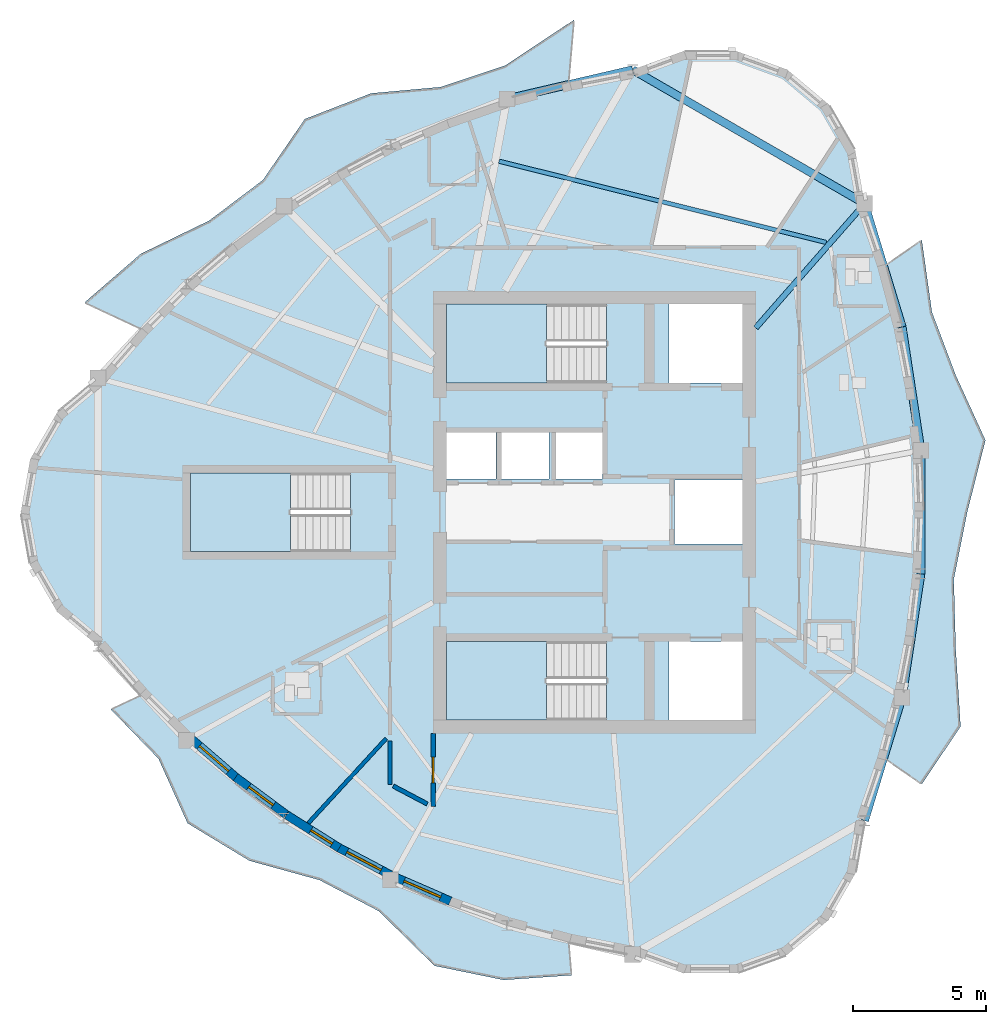
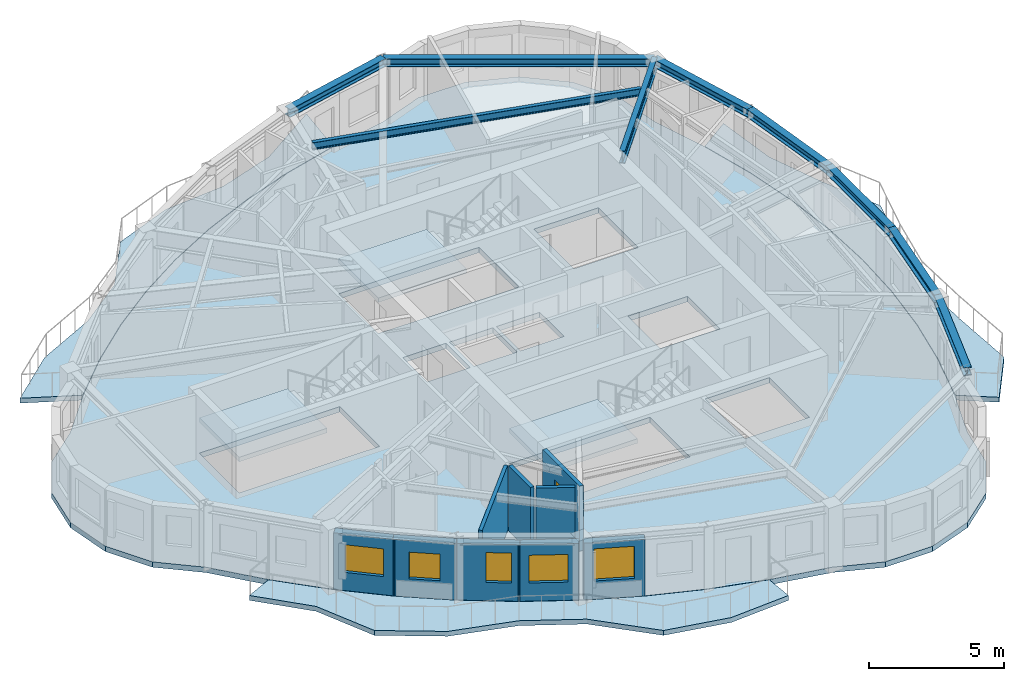
# One storey, part 2 of 12: 9 beams, 9 walls, 7 slabs, 5 windows, 1 door, 6 openings, 3 elements without a shape of their own.
"""IFC4 building model written with IfcOpenShell, lengths in metres."""

from ifc_helpers import new_model, si_unit, direction, frame, frame_2d, origin, origin_2d, place, context, subcontext, project, spatial, polyline, rectangle, i_section, outline, extrude, source, transform, mapped, material, layer, layer_set, material_profile, profile_set, type_object, element, fill, aggregate, save


model = new_model("IFC4")

# Units and contexts
model_context = context("Model", 3, precision=1e-05, world=origin(), true_north=direction((0.0, 1.0)))
body_context = subcontext(model_context, "Body", "Model", "MODEL_VIEW")
ifc_project = project(units=[si_unit("LENGTHUNIT", "METRE"), si_unit("AREAUNIT", "SQUARE_METRE"), si_unit("VOLUMEUNIT", "CUBIC_METRE"), si_unit("PLANEANGLEUNIT", "RADIAN"), si_unit("MASSUNIT", "GRAM", prefix="KILO")], contexts=[model_context])

# Site, building, storey
site_placement = place(None, origin())
site = spatial("IfcSite", under=ifc_project, at=site_placement, CompositionType="ELEMENT")
building_placement = place(site_placement, origin())
building = spatial("IfcBuilding", under=site, at=building_placement, Name="Qafzar Sky-Pleat Residences", CompositionType="ELEMENT")
storey_placement = place(building_placement, frame((0.0, 0.0, 202.0)))
storey = spatial("IfcBuildingStorey", under=building, at=storey_placement, Name="L60", CompositionType="ELEMENT", Elevation=202.0)

# Beams
ifc_material_1 = material(Name="Steel S355", Category="steel")
ifc_material_profile_1 = material_profile(ifc_material_1, i_section(OverallWidth=0.300048828125, OverallDepth=0.360107421875, WebThickness=0.012451171875, FlangeThickness=0.0224609375, FilletRadius=0.027099609375, at=origin_2d()), Name="HEB 360")
ifc_profile_set_1 = profile_set([ifc_material_profile_1], Name="Steel S355")
beam_type_1 = type_object("IfcBeamType", Name="BM-SPAN-HEB360", PredefinedType="SPANDREL", material=ifc_profile_set_1)
shared_shape_1 = source(origin(), body_context, "Body", "SweptSolid", [
    extrude(i_section(OverallWidth=0.300048828125, OverallDepth=0.360107421875, WebThickness=0.012451171875, FlangeThickness=0.0224609375, FilletRadius=0.027099609375, at=origin_2d()), origin(), (0.0, 0.0, 1.0), 10.0458984375),
])
beam_1_placement = place(storey_placement, frame((40.47998046875, 37.570068359375, 2.7529296875), z_axis=(-0.866024107753, 0.500002244785, 0.0), x_axis=(-0.500002244785, -0.866024107753, 0.0)))
element("IfcBeam", 1, at=beam_1_placement, inside=storey, type_object=beam_type_1, Name="L60 Perimeter Spandrel Beam 13", PredefinedType="SPANDREL", context=body_context, shape_type="MappedRepresentation", body=[
    mapped(shared_shape_1, transform((0.0, 0.0, 0.0), x_axis=(1.0, 0.0, 0.0), y_axis=(0.0, 1.0, 0.0), z_axis=(0.0, 0.0, 1.0), scale=1.0)),
])
shared_shape_2 = source(origin(), body_context, "Body", "SweptSolid", [
    extrude(i_section(OverallWidth=0.300048828125, OverallDepth=0.360107421875, WebThickness=0.012451171875, FlangeThickness=0.0224609375, FilletRadius=0.027099609375, at=origin_2d()), origin(), (0.0, 0.0, 1.0), 4.837158203125),
])
for number, where, z_axis, x_axis, name in (
    (2, (40.47998046875, 14.429931640625, 2.7529296875), (0.290874397057, 0.956761247719, 0.0), (-0.956761247719, 0.290874397057, 0.0), "L60 Perimeter Spandrel Beam 8"),
    (3, (41.886962890625, 32.942138671875, 2.7529296875), (-0.290874397057, 0.956761247719, 0.0), (-0.956761247719, -0.290874397057, 0.0), "L60 Perimeter Spandrel Beam 12"),
    (4, (31.780029296875, 42.593017578125, 2.7529296875), (-0.974018125748, -0.226470065822, 0.0), (0.226470065822, -0.974018125748, 0.0), "L60 Perimeter Spandrel Beam 14"),
):
    element("IfcBeam", number, at=place(storey_placement, frame(where, z_axis=z_axis, x_axis=x_axis)), inside=storey, type_object=beam_type_1, Name=name, PredefinedType="SPANDREL", context=body_context, shape_type="MappedRepresentation", body=[
        mapped(shared_shape_2, transform((0.0, 0.0, 0.0), x_axis=(1.0, 0.0, 0.0), y_axis=(0.0, 1.0, 0.0), z_axis=(0.0, 0.0, 1.0), scale=1.0)),
    ])
shared_shape_3 = source(origin(), body_context, "Body", "SweptSolid", [
    extrude(i_section(OverallWidth=0.300048828125, OverallDepth=0.360107421875, WebThickness=0.012451171875, FlangeThickness=0.0224609375, FilletRadius=0.027099609375, at=origin_2d()), origin(), (0.0, 0.0, 1.0), 4.681396484375),
])
for number, where, z_axis, x_axis, name in (
    (5, (41.886962890625, 19.057861328125, 2.7529296875), (0.150250295924, 0.988647990224, 0.0), (-0.988647990224, 0.150250295924, 0.0), "L60 Perimeter Spandrel Beam 9"),
    (6, (42.59033203125, 28.31396484375, 2.7529296875), (-0.150250295924, 0.988647990224, 0.0), (-0.988647990224, -0.150250295924, 0.0), "L60 Perimeter Spandrel Beam 11"),
):
    element("IfcBeam", number, at=place(storey_placement, frame(where, z_axis=z_axis, x_axis=x_axis)), inside=storey, type_object=beam_type_1, Name=name, PredefinedType="SPANDREL", context=body_context, shape_type="MappedRepresentation", body=[
        mapped(shared_shape_3, transform((0.0, 0.0, 0.0), x_axis=(1.0, 0.0, 0.0), y_axis=(0.0, 1.0, 0.0), z_axis=(0.0, 0.0, 1.0), scale=1.0)),
    ])
shared_shape_4 = source(origin(), body_context, "Body", "SweptSolid", [
    extrude(i_section(OverallWidth=0.300048828125, OverallDepth=0.360107421875, WebThickness=0.012451171875, FlangeThickness=0.0224609375, FilletRadius=0.027099609375, at=origin_2d()), origin(), (0.0, 0.0, 1.0), 4.6279296875),
])
beam_2_placement = place(storey_placement, frame((42.59033203125, 23.68603515625, 2.7529296875), z_axis=(0.0, 1.0, 0.0), x_axis=(-1.0, 0.0, 0.0)))
element("IfcBeam", 7, at=beam_2_placement, inside=storey, type_object=beam_type_1, Name="L60 Perimeter Spandrel Beam 10", PredefinedType="SPANDREL", context=body_context, shape_type="MappedRepresentation", body=[
    mapped(shared_shape_4, transform((0.0, 0.0, 0.0), x_axis=(1.0, 0.0, 0.0), y_axis=(0.0, 1.0, 0.0), z_axis=(0.0, 0.0, 1.0), scale=1.0)),
])
ifc_material_profile_2 = material_profile(ifc_material_1, i_section(OverallWidth=0.2099609375, OverallDepth=0.550048828125, WebThickness=0.010986328125, FlangeThickness=0.01708984375, FilletRadius=0.02392578125, at=origin_2d()), Name="IPE 550")
ifc_profile_set_2 = profile_set([ifc_material_profile_2], Name="Steel S355")
beam_type_2 = type_object("IfcBeamType", Name="BM-SEC-IPE550", PredefinedType="BEAM", material=ifc_profile_set_2)
shared_shape_5 = source(origin(), body_context, "Body", "SweptSolid", [
    extrude(i_section(OverallWidth=0.2099609375, OverallDepth=0.550048828125, WebThickness=0.010986328125, FlangeThickness=0.01708984375, FilletRadius=0.02392578125, at=origin_2d()), origin(), (0.0, 0.0, 1.0), 6.193603515625),
])
beam_3_placement = place(storey_placement, frame((40.47998046875, 37.570068359375, 2.657958984375), z_axis=(-0.658747358269, -0.752364218961, 0.0), x_axis=(0.752364218961, -0.658747358269, 0.0)))
element("IfcBeam", 8, at=beam_3_placement, inside=storey, type_object=beam_type_2, Name="L60 Radial Floor Girder 13", PredefinedType="BEAM", context=body_context, shape_type="MappedRepresentation", body=[
    mapped(shared_shape_5, transform((0.0, 0.0, 0.0), x_axis=(1.0, 0.0, 0.0), y_axis=(0.0, 1.0, 0.0), z_axis=(0.0, 0.0, 1.0), scale=1.0)),
])
ifc_material_profile_3 = material_profile(ifc_material_1, i_section(OverallWidth=0.159912109375, OverallDepth=0.330078125, WebThickness=0.007568359375, FlangeThickness=0.011474609375, FilletRadius=0.01806640625, at=origin_2d()), Name="IPE 330")
ifc_profile_set_3 = profile_set([ifc_material_profile_3], Name="Steel S355")
beam_type_3 = type_object("IfcBeamType", Name="BM-JST-IPE330", PredefinedType="JOIST", material=ifc_profile_set_3)
shared_shape_6 = source(origin(), body_context, "Body", "SweptSolid", [
    extrude(i_section(OverallWidth=0.159912109375, OverallDepth=0.330078125, WebThickness=0.007568359375, FlangeThickness=0.011474609375, FilletRadius=0.01806640625, at=origin_2d()), origin(), (0.0, 0.0, 1.0), 12.649169921875),
])
beam_4_placement = place(storey_placement, frame((39.04345703125, 36.111572265625, 2.76806640625), z_axis=(-0.970493438254, 0.241127531206, 0.0), x_axis=(-0.241127531206, -0.970493438254, 0.0)))
element("IfcBeam", 9, at=beam_4_placement, inside=storey, type_object=beam_type_3, Name="L60 Outer Secondary Floor Joist 7", PredefinedType="JOIST", context=body_context, shape_type="MappedRepresentation", body=[
    mapped(shared_shape_6, transform((0.0, 0.0, 0.0), x_axis=(1.0, 0.0, 0.0), y_axis=(0.0, 1.0, 0.0), z_axis=(0.0, 0.0, 1.0), scale=1.0)),
])

# Slabs
ifc_material_2 = material(Name="Concrete C40/50", Category="concrete")
ifc_layer_1 = layer(ifc_material_2, 0.219970703125)
ifc_layer_set_1 = layer_set([ifc_layer_1], Name="Concrete C40/50")
slab_type_1 = type_object("IfcSlabType", Name="SLAB-BAL-220", PredefinedType="USERDEFINED", material=ifc_layer_set_1)
slab_1_placement = place(storey_placement, frame((0.0, 0.0, -0.219970703125)))
element("IfcSlab", 10, at=slab_1_placement, inside=storey, type_object=slab_type_1, Name="L60 Pleated Stone Balcony 1", ObjectType="BALCONY", PredefinedType="USERDEFINED", context=body_context, shape_type="SweptSolid", body=[
    extrude(outline(polyline([(41.897705078125, 19.052490234375), (42.337890625, 21.368408203125), (42.602294921875, 23.68408203125), (42.690185546875, 26.0), (42.602294921875, 28.31591796875), (42.337890625, 30.631591796875), (41.897705078125, 32.947509765625), (41.28125, 35.262939453125), (42.624755859375, 36.199951171875), (43.0048828125, 33.5009765625), (43.896728515625, 31.13525390625), (45.01025390625, 28.69775390625), (44.328369140625, 26.0), (43.824951171875, 23.490234375), (43.896728515625, 20.86474609375), (44.078369140625, 17.96240234375), (42.624755859375, 15.800048828125), (41.28125, 16.737060546875), (41.897705078125, 19.052490234375)])), origin(), (0.0, 0.0, 1.0), 0.219970703125),
])
slab_2_placement = place(storey_placement, frame((0.0, 0.0, -0.219970703125)))
element("IfcSlab", 11, at=slab_2_placement, inside=storey, type_object=slab_type_1, Name="L60 Pleated Stone Balcony 2", ObjectType="BALCONY", PredefinedType="USERDEFINED", context=body_context, shape_type="SweptSolid", body=[
    extrude(outline(polyline([(27.06787109375, 41.509521484375), (24.84228515625, 40.73291015625), (22.70458984375, 39.803955078125), (20.65478515625, 38.72216796875), (18.693115234375, 37.48779296875), (16.81982421875, 36.101318359375), (15.034423828125, 34.56201171875), (13.33740234375, 32.870361328125), (11.226806640625, 33.859375), (13.333740234375, 35.68505859375), (15.901123046875, 36.93115234375), (17.913818359375, 38.449951171875), (19.489501953125, 40.74072265625), (21.974609375, 41.706787109375), (24.582763671875, 41.943359375), (26.993408203125, 42.7451171875), (29.580078125, 44.455810546875), (29.38134765625, 42.13330078125), (27.06787109375, 41.509521484375)])), origin(), (0.0, 0.0, 1.0), 0.219970703125),
])
slab_3_placement = place(storey_placement, frame((0.0, 0.0, -0.219970703125)))
element("IfcSlab", 12, at=slab_3_placement, inside=storey, type_object=slab_type_1, Name="L60 Pleated Stone Balcony 3", ObjectType="BALCONY", PredefinedType="USERDEFINED", context=body_context, shape_type="SweptSolid", body=[
    extrude(outline(polyline([(15.034423828125, 17.43798828125), (16.81982421875, 15.898681640625), (18.693115234375, 14.51220703125), (20.65478515625, 13.27783203125), (22.70458984375, 12.196044921875), (24.84228515625, 11.26708984375), (27.06787109375, 10.490478515625), (29.38134765625, 9.86669921875), (29.48681640625, 8.63330078125), (26.945556640625, 8.456298828125), (24.353759765625, 8.988037109375), (22.260986328125, 11.040283203125), (20.035888671875, 12.205810546875), (17.410400390625, 12.928466796875), (15.09033203125, 14.336181640625), (14.00146484375, 16.755859375), (12.21630859375, 18.604248046875), (13.33740234375, 19.129638671875), (15.034423828125, 17.43798828125)])), origin(), (0.0, 0.0, 1.0), 0.219970703125),
])
ifc_layer_2 = layer(ifc_material_2, 0.239990234375)
ifc_layer_set_2 = layer_set([ifc_layer_2], Name="Concrete C40/50")
slab_type_2 = type_object("IfcSlabType", Name="SLAB-FLR-240", PredefinedType="FLOOR", material=ifc_layer_set_2)
slab_4_placement = place(storey_placement, frame((0.0, 0.0, -0.239990234375)))
element("IfcSlab", 13, at=slab_4_placement, inside=storey, type_object=slab_type_2, Name="L60 Structural Floor Slab", PredefinedType="FLOOR", context=body_context, shape_type="SweptSolid", body=[
    extrude(outline(polyline([(11.739990234375, 31.02294921875), (10.197021484375, 29.728271484375), (9.189697265625, 27.983642578125), (8.840087890625, 26.0), (9.189697265625, 24.016357421875), (10.197021484375, 22.271728515625), (11.739990234375, 20.97705078125), (13.348388671875, 19.134765625), (15.04443359375, 17.444580078125), (16.82861328125, 15.90673828125), (18.70068359375, 14.521484375), (20.660888671875, 13.2880859375), (22.708740234375, 12.207275390625), (24.8447265625, 11.27880859375), (27.068603515625, 10.50244140625), (29.38037109375, 9.878662109375), (31.780029296875, 9.406982421875), (33.6728515625, 8.718017578125), (35.687255859375, 8.718017578125), (37.580078125, 9.406982421875), (39.123046875, 10.70166015625), (40.130126953125, 12.4462890625), (40.47998046875, 14.429931640625), (41.271484375, 16.743896484375), (41.886962890625, 19.057861328125), (42.32666015625, 21.3720703125), (42.59033203125, 23.68603515625), (42.67822265625, 26.0), (42.59033203125, 28.31396484375), (42.32666015625, 30.6279296875), (41.886962890625, 32.942138671875), (41.271484375, 35.256103515625), (40.47998046875, 37.570068359375), (40.130126953125, 39.5537109375), (39.123046875, 41.29833984375), (37.580078125, 42.593017578125), (35.687255859375, 43.281982421875), (33.6728515625, 43.281982421875), (31.780029296875, 42.593017578125), (29.38037109375, 42.121337890625), (27.068603515625, 41.49755859375), (24.8447265625, 40.72119140625), (22.708740234375, 39.792724609375), (20.660888671875, 38.7119140625), (18.70068359375, 37.478515625), (16.82861328125, 36.09326171875), (15.04443359375, 34.555419921875), (13.348388671875, 32.865234375), (11.739990234375, 31.02294921875)]), holes=[polyline([(30.797119140625, 21.14990234375), (24.800048828125, 21.14990234375), (24.800048828125, 18.199951171875), (30.797119140625, 18.199951171875), (30.797119140625, 21.14990234375)]), polyline([(30.797119140625, 33.800048828125), (24.800048828125, 33.800048828125), (24.800048828125, 30.85009765625), (30.797119140625, 30.85009765625), (30.797119140625, 33.800048828125)]), polyline([(21.197021484375, 27.47509765625), (15.199951171875, 27.47509765625), (15.199951171875, 24.52490234375), (21.197021484375, 24.52490234375), (21.197021484375, 27.47509765625)]), polyline([(24.800048828125, 27.25), (26.64990234375, 27.25), (26.64990234375, 29.050048828125), (24.800048828125, 29.050048828125), (24.800048828125, 27.25)]), polyline([(26.800048828125, 27.25), (28.64990234375, 27.25), (28.64990234375, 29.050048828125), (26.800048828125, 29.050048828125), (26.800048828125, 27.25)]), polyline([(28.800048828125, 27.25), (30.64990234375, 27.25), (30.64990234375, 29.050048828125), (28.800048828125, 29.050048828125), (28.800048828125, 27.25)]), polyline([(33.14990234375, 18.199951171875), (35.89990234375, 18.199951171875), (35.89990234375, 21.14990234375), (33.14990234375, 21.14990234375), (33.14990234375, 18.199951171875)]), polyline([(33.14990234375, 30.85009765625), (35.89990234375, 30.85009765625), (35.89990234375, 33.800048828125), (33.14990234375, 33.800048828125), (33.14990234375, 30.85009765625)]), polyline([(33.35009765625, 24.800048828125), (35.89990234375, 24.800048828125), (35.89990234375, 27.199951171875), (33.35009765625, 27.199951171875), (33.35009765625, 24.800048828125)])]), origin(), (0.0, 0.0, 1.0), 0.239990234375),
])

# Stair, slab
stair_type = type_object("IfcStairType", Name="STAIR-H320", PredefinedType="HALF_TURN_STAIR", material=ifc_material_2)
stair_1_placement = place(storey_placement, origin())
stair_1 = element("IfcStair", 14, at=stair_1_placement, inside=storey, type_object=stair_type, Name="L60 Protected Exit Stair ST1", PredefinedType="HALF_TURN_STAIR")
ifc_layer_3 = layer(ifc_material_2, 0.199951171875)
ifc_layer_set_3 = layer_set([ifc_layer_3], Name="Concrete C40/50")
slab_type_3 = type_object("IfcSlabType", Name="SLAB-LANDING-200", PredefinedType="LANDING", material=ifc_layer_set_3)
slab_5_placement = place(storey_placement, frame((0.0, 0.0, 1.39990234375)))
slab_5 = element("IfcSlab", 15, at=slab_5_placement, type_object=slab_type_3, Name="ST1 landing 1", PredefinedType="LANDING", context=body_context, shape_type="SweptSolid", body=[
    extrude(outline(polyline([(28.56005859375, 21.14990234375), (24.800048828125, 21.14990234375), (24.800048828125, 18.199951171875), (28.56005859375, 18.199951171875), (28.56005859375, 21.14990234375)])), origin(), (0.0, 0.0, 1.0), 0.2001953125),
])
aggregate(stair_1, [slab_5])

stair_2_placement = place(storey_placement, origin())
stair_2 = element("IfcStair", 16, at=stair_2_placement, inside=storey, type_object=stair_type, Name="L60 Protected Exit Stair ST2", PredefinedType="HALF_TURN_STAIR")
slab_6_placement = place(storey_placement, frame((0.0, 0.0, 1.39990234375)))
slab_6 = element("IfcSlab", 17, at=slab_6_placement, type_object=slab_type_3, Name="ST2 landing 1", PredefinedType="LANDING", context=body_context, shape_type="SweptSolid", body=[
    extrude(outline(polyline([(28.56005859375, 33.800048828125), (24.800048828125, 33.800048828125), (24.800048828125, 30.85009765625), (28.56005859375, 30.85009765625), (28.56005859375, 33.800048828125)])), origin(), (0.0, 0.0, 1.0), 0.2001953125),
])
aggregate(stair_2, [slab_6])

stair_3_placement = place(storey_placement, origin())
stair_3 = element("IfcStair", 18, at=stair_3_placement, inside=storey, type_object=stair_type, Name="L60 Protected Exit Stair ST3", PredefinedType="HALF_TURN_STAIR")
slab_7_placement = place(storey_placement, frame((0.0, 0.0, 1.39990234375)))
slab_7 = element("IfcSlab", 19, at=slab_7_placement, type_object=slab_type_3, Name="ST3 landing 1", PredefinedType="LANDING", context=body_context, shape_type="SweptSolid", body=[
    extrude(outline(polyline([(18.9599609375, 27.47509765625), (15.199951171875, 27.47509765625), (15.199951171875, 24.52490234375), (18.9599609375, 24.52490234375), (18.9599609375, 27.47509765625)])), origin(), (0.0, 0.0, 1.0), 0.2001953125),
])
aggregate(stair_3, [slab_7])

# Wall, opening, door
ifc_material_3 = material(Name="Acoustic gypsum plasterboard partition", Category="gypsum")
ifc_layer_4 = layer(ifc_material_3, 0.159912109375)
ifc_layer_set_4 = layer_set([ifc_layer_4], Name="Acoustic gypsum plasterboard partition")
wall_type_1 = type_object("IfcWallType", Name="PART-COR-160", PredefinedType="PARTITIONING", material=ifc_layer_set_4)
wall_1_placement = place(storey_placement, frame((24.300048828125, 17.69189453125, 0.0), z_axis=(0.0, 0.0, 1.0), x_axis=(0.0, -1.0, 0.0)))
wall_1 = element("IfcWall", 20, at=wall_1_placement, inside=storey, type_object=wall_type_1, Name="L60 Partition Wall PART-L60-PW-010", PredefinedType="PARTITIONING", context=body_context, shape_type="SweptSolid", body=[
    extrude(rectangle(XDim=2.73095703125, YDim=0.159912109375, at=frame_2d((1.365478515625, 0.0))), origin(), (0.0, 0.0, 1.0), 2.93505859375),
])
opening_1_placement = place(wall_1_placement, frame((0.881591796875, 0.0, 0.0)))
opening_1 = element("IfcOpeningElement", 21, at=opening_1_placement, cuts=wall_1, Name="Opening ID-06", PredefinedType="OPENING", context=body_context, shape_type="SweptSolid", body=[
    extrude(rectangle(XDim=0.9599609375, YDim=2.10009765625, at=frame_2d((0.47998046875, 1.050048828125))), frame((0.0, 0.08984375, 0.0), z_axis=(0.0, -1.0, 0.0), x_axis=(1.0, 0.0, 0.0)), (0.0, 0.0, 1.0), 0.179931640625),
])
ifc_material_4 = material(Name="Timber-faced fire door", Category="wood")
door_type = type_object("IfcDoorType", Name="DR-STD-960", OperationType="NOTDEFINED", PredefinedType="DOOR", material=ifc_material_4)
shared_shape_7 = source(origin(), body_context, "Body", "SweptSolid", [
    extrude(rectangle(XDim=0.9599609375, YDim=2.10009765625, at=frame_2d((0.47998046875, 1.050048828125))), frame((0.0, 0.02490234375, 0.0), z_axis=(0.0, -1.0, 0.0), x_axis=(1.0, 0.0, 0.0)), (0.0, 0.0, 1.0), 0.050048828125),
])
door_placement = place(opening_1_placement, origin())
door = element("IfcDoor", 22, at=door_placement, inside=storey, type_object=door_type, Name="L60 Reading Library Door", OperationType="SINGLE_SWING_LEFT", OverallHeight=2.10009765625, OverallWidth=0.9599609375, PredefinedType="DOOR", context=body_context, shape_type="MappedRepresentation", body=[
    mapped(shared_shape_7, transform((0.0, 0.0, 0.0), x_axis=(1.0, 0.0, 0.0), y_axis=(0.0, 1.0, 0.0), z_axis=(0.0, 0.0, 1.0), scale=1.0)),
])
fill(opening_1, door)

# Walls
wall_2_placement = place(storey_placement, frame((22.679931640625, 15.7958984375, 0.0), z_axis=(0.0, 0.0, 1.0), x_axis=(0.0, 1.0, 0.0)))
element("IfcWall", 23, at=wall_2_placement, inside=storey, type_object=wall_type_1, Name="L60 Partition Wall PART-L60-PW-030", PredefinedType="PARTITIONING", context=body_context, shape_type="SweptSolid", body=[
    extrude(rectangle(XDim=1.628173828125, YDim=0.159912109375, at=frame_2d((0.81396484375, 0.0))), origin(), (0.0, 0.0, 1.0), 2.93505859375),
])
wall_3_placement = place(storey_placement, frame((22.804443359375, 15.730224609375, 0.0), z_axis=(0.0, 0.0, 1.0), x_axis=(0.884376976103, -0.466773354143, 0.0)))
element("IfcWall", 24, at=wall_3_placement, inside=storey, type_object=wall_type_1, Name="L60 Partition Wall PART-L60-PW-040", PredefinedType="PARTITIONING", context=body_context, shape_type="SweptSolid", body=[
    extrude(rectangle(XDim=1.43994140625, YDim=0.159912109375, at=frame_2d((0.719970703125, 0.0))), origin(), (0.0, 0.0, 1.0), 2.93505859375),
])
ifc_layer_5 = layer(ifc_material_3, 0.14501953125)
ifc_layer_set_5 = layer_set([ifc_layer_5], Name="Acoustic gypsum plasterboard partition")
wall_type_2 = type_object("IfcWallType", Name="PART-UNIT-145", PredefinedType="PARTITIONING", material=ifc_layer_set_5)
wall_4_placement = place(storey_placement, frame((19.625, 14.3427734375, 0.0), z_axis=(0.0, 0.0, 1.0), x_axis=(0.677104421975, 0.735886949023, 0.0)))
element("IfcWall", 25, at=wall_4_placement, inside=storey, type_object=wall_type_2, Name="L60 Partition Wall PART-L60-PW-021", PredefinedType="PARTITIONING", context=body_context, shape_type="SweptSolid", body=[
    extrude(rectangle(XDim=4.306884765625, YDim=0.14501953125, at=frame_2d((2.1533203125, 0.0))), origin(), (0.0, 0.0, 1.0), 2.93505859375),
])

# Wall, opening, window
ifc_material_5 = material(Name="Precast concrete C40/50 with honed Riyadh limestone", Category="concrete")
ifc_layer_6 = layer(ifc_material_5, 0.320068359375)
ifc_layer_set_6 = layer_set([ifc_layer_6], Name="Precast concrete C40/50 with honed Riyadh limestone")
wall_type_3 = type_object("IfcWallType", Name="WALL-EXT-320", PredefinedType="SOLIDWALL", material=ifc_layer_set_6)
wall_5_placement = place(storey_placement, frame((15.217041015625, 17.507080078125, 0.0), z_axis=(0.0, 0.0, 1.0), x_axis=(0.757473216355, -0.652866239366, 0.0)))
wall_5 = element("IfcWall", 26, at=wall_5_placement, inside=storey, type_object=wall_type_3, Name="L60 Limestone Facade Wall 9", PredefinedType="SOLIDWALL", context=body_context, shape_type="SweptSolid", body=[
    extrude(rectangle(XDim=2.303466796875, YDim=0.320068359375, at=frame_2d((1.15185546875, 0.0))), origin(), (0.0, 0.0, 1.0), 2.554931640625),
])
opening_2_placement = place(wall_5_placement, frame((0.421630859375, 0.0, 0.820068359375)))
opening_2 = element("IfcOpeningElement", 27, at=opening_2_placement, cuts=wall_5, Name="Opening WN-15", PredefinedType="OPENING", context=body_context, shape_type="SweptSolid", body=[
    extrude(rectangle(XDim=1.449951171875, YDim=1.25, at=frame_2d((0.72509765625, 0.625))), frame((0.0, 0.169921875, 0.0), z_axis=(0.0, -1.0, 0.0), x_axis=(1.0, 0.0, 0.0)), (0.0, 0.0, 1.0), 0.340087890625),
])
ifc_material_6 = material(Name="Solar-control low-E glass in bronze aluminium frame", Category="glass")
window_type_1 = type_object("IfcWindowType", Name="WIN-15", PartitioningType="SINGLE_PANEL", PredefinedType="WINDOW", material=ifc_material_6)
shared_shape_8 = source(origin(), body_context, "Body", "SweptSolid", [
    extrude(rectangle(XDim=1.449951171875, YDim=1.25, at=frame_2d((0.72509765625, 0.625))), frame((0.0, 0.030029296875, 0.0), z_axis=(0.0, -1.0, 0.0), x_axis=(1.0, 0.0, 0.0)), (0.0, 0.0, 1.0), 0.06005859375),
])
window_1_placement = place(opening_2_placement, origin())
window_1 = element("IfcWindow", 28, at=window_1_placement, inside=storey, type_object=window_type_1, Name="L60 Punched Facade Window 09", OverallHeight=1.25, OverallWidth=1.449951171875, PartitioningType="SINGLE_PANEL", PredefinedType="WINDOW", context=body_context, shape_type="MappedRepresentation", body=[
    mapped(shared_shape_8, transform((0.0, 0.0, 0.0), x_axis=(1.0, 0.0, 0.0), y_axis=(0.0, 1.0, 0.0), z_axis=(0.0, 0.0, 1.0), scale=1.0)),
])
fill(opening_2, window_1)

wall_6_placement = place(storey_placement, frame((16.893310546875, 16.05810546875, 0.0), z_axis=(0.0, 0.0, 1.0), x_axis=(0.803791161534, -0.594911563713, 0.0)))
wall_6 = element("IfcWall", 29, at=wall_6_placement, inside=storey, type_object=wall_type_3, Name="L60 Limestone Facade Wall 10", PredefinedType="SOLIDWALL", context=body_context, shape_type="SweptSolid", body=[
    extrude(rectangle(XDim=2.346923828125, YDim=0.320068359375, at=frame_2d((1.17333984375, 0.0))), origin(), (0.0, 0.0, 1.0), 2.554931640625),
])
opening_3_placement = place(wall_6_placement, frame((0.6083984375, 0.0, 0.820068359375)))
opening_3 = element("IfcOpeningElement", 30, at=opening_3_placement, cuts=wall_6, Name="Opening WN-16", PredefinedType="OPENING", context=body_context, shape_type="SweptSolid", body=[
    extrude(rectangle(XDim=1.14990234375, YDim=1.199951171875, at=frame_2d((0.574951171875, 0.60009765625))), frame((0.0, 0.169921875, 0.0), z_axis=(0.0, -1.0, 0.0), x_axis=(1.0, 0.0, 0.0)), (0.0, 0.0, 1.0), 0.340087890625),
])
window_type_2 = type_object("IfcWindowType", Name="WIN-16", PartitioningType="SINGLE_PANEL", PredefinedType="WINDOW", material=ifc_material_6)
shared_shape_9 = source(origin(), body_context, "Body", "SweptSolid", [
    extrude(rectangle(XDim=1.14990234375, YDim=1.199951171875, at=frame_2d((0.574951171875, 0.60009765625))), frame((0.0, 0.030029296875, 0.0), z_axis=(0.0, -1.0, 0.0), x_axis=(1.0, 0.0, 0.0)), (0.0, 0.0, 1.0), 0.06005859375),
])
window_2_placement = place(opening_3_placement, origin())
window_2 = element("IfcWindow", 31, at=window_2_placement, inside=storey, type_object=window_type_2, Name="L60 Punched Facade Window 10", OverallHeight=1.199951171875, OverallWidth=1.14990234375, PartitioningType="SINGLE_PANEL", PredefinedType="WINDOW", context=body_context, shape_type="MappedRepresentation", body=[
    mapped(shared_shape_9, transform((0.0, 0.0, 0.0), x_axis=(1.0, 0.0, 0.0), y_axis=(0.0, 1.0, 0.0), z_axis=(0.0, 0.0, 1.0), scale=1.0)),
])
fill(opening_3, window_2)

wall_7_placement = place(storey_placement, frame((18.802978515625, 14.646240234375, 0.0), z_axis=(0.0, 0.0, 1.0), x_axis=(0.846390024768, -0.532563541724, 0.0)))
wall_7 = element("IfcWall", 32, at=wall_7_placement, inside=storey, type_object=wall_type_3, Name="L60 Limestone Facade Wall 11", PredefinedType="SOLIDWALL", context=body_context, shape_type="SweptSolid", body=[
    extrude(rectangle(XDim=2.333740234375, YDim=0.320068359375, at=frame_2d((1.1669921875, 0.0))), origin(), (0.0, 0.0, 1.0), 2.554931640625),
])
opening_4_placement = place(wall_7_placement, frame((1.07763671875, 0.0, 0.820068359375)))
opening_4 = element("IfcOpeningElement", 33, at=opening_4_placement, cuts=wall_7, Name="Opening WN-12", PredefinedType="OPENING", context=body_context, shape_type="SweptSolid", body=[
    extrude(rectangle(XDim=0.949951171875, YDim=1.35009765625, at=frame_2d((0.47509765625, 0.675048828125))), frame((0.0, 0.169921875, 0.0), z_axis=(0.0, -1.0, 0.0), x_axis=(1.0, 0.0, 0.0)), (0.0, 0.0, 1.0), 0.340087890625),
])
window_type_3 = type_object("IfcWindowType", Name="WIN-12", PartitioningType="SINGLE_PANEL", PredefinedType="WINDOW", material=ifc_material_6)
shared_shape_10 = source(origin(), body_context, "Body", "SweptSolid", [
    extrude(rectangle(XDim=0.949951171875, YDim=1.35009765625, at=frame_2d((0.47509765625, 0.675048828125))), frame((0.0, 0.030029296875, 0.0), z_axis=(0.0, -1.0, 0.0), x_axis=(1.0, 0.0, 0.0)), (0.0, 0.0, 1.0), 0.06005859375),
])
window_3_placement = place(opening_4_placement, origin())
window_3 = element("IfcWindow", 34, at=window_3_placement, inside=storey, type_object=window_type_3, Name="L60 Punched Facade Window 11-2", OverallHeight=1.35009765625, OverallWidth=0.949951171875, PartitioningType="SINGLE_PANEL", PredefinedType="WINDOW", context=body_context, shape_type="MappedRepresentation", body=[
    mapped(shared_shape_10, transform((0.0, 0.0, 0.0), x_axis=(1.0, 0.0, 0.0), y_axis=(0.0, 1.0, 0.0), z_axis=(0.0, 0.0, 1.0), scale=1.0)),
])
fill(opening_4, window_3)

wall_8_placement = place(storey_placement, frame((20.701904296875, 13.447509765625, 0.0), z_axis=(0.0, 0.0, 1.0), x_axis=(0.884374859293, -0.466777364758, 0.0)))
wall_8 = element("IfcWall", 35, at=wall_8_placement, inside=storey, type_object=wall_type_3, Name="L60 Limestone Facade Wall 12", PredefinedType="SOLIDWALL", context=body_context, shape_type="SweptSolid", body=[
    extrude(rectangle(XDim=2.263671875, YDim=0.320068359375, at=frame_2d((1.1318359375, 0.0))), origin(), (0.0, 0.0, 1.0), 2.554931640625),
])
opening_5_placement = place(wall_8_placement, frame((0.411865234375, 0.0, 0.820068359375)))
opening_5 = element("IfcOpeningElement", 36, at=opening_5_placement, cuts=wall_8, Name="Opening WN-15", PredefinedType="OPENING", context=body_context, shape_type="SweptSolid", body=[
    extrude(rectangle(XDim=1.449951171875, YDim=1.25, at=frame_2d((0.72509765625, 0.625))), frame((0.0, 0.169921875, 0.0), z_axis=(0.0, -1.0, 0.0), x_axis=(1.0, 0.0, 0.0)), (0.0, 0.0, 1.0), 0.340087890625),
])
window_4_placement = place(opening_5_placement, origin())
window_4 = element("IfcWindow", 37, at=window_4_placement, inside=storey, type_object=window_type_1, Name="L60 Punched Facade Window 12", OverallHeight=1.25, OverallWidth=1.449951171875, PartitioningType="SINGLE_PANEL", PredefinedType="WINDOW", context=body_context, shape_type="MappedRepresentation", body=[
    mapped(shared_shape_8, transform((0.0, 0.0, 0.0), x_axis=(1.0, 0.0, 0.0), y_axis=(0.0, 1.0, 0.0), z_axis=(0.0, 0.0, 1.0), scale=1.0)),
])
fill(opening_5, window_4)

wall_9_placement = place(storey_placement, frame((22.85498046875, 12.318115234375, 0.0), z_axis=(0.0, 0.0, 1.0), x_axis=(0.917114368262, -0.398624178302, 0.0)))
wall_9 = element("IfcWall", 38, at=wall_9_placement, inside=storey, type_object=wall_type_3, Name="L60 Limestone Facade Wall 13", PredefinedType="SOLIDWALL", context=body_context, shape_type="SweptSolid", body=[
    extrude(rectangle(XDim=2.277099609375, YDim=0.320068359375, at=frame_2d((1.138671875, 0.0))), origin(), (0.0, 0.0, 1.0), 2.554931640625),
])
opening_6_placement = place(wall_9_placement, frame((0.383544921875, 0.0, 0.820068359375)))
opening_6 = element("IfcOpeningElement", 39, at=opening_6_placement, cuts=wall_9, Name="Opening WN-03", PredefinedType="OPENING", context=body_context, shape_type="SweptSolid", body=[
    extrude(rectangle(XDim=1.5, YDim=1.449951171875, at=frame_2d((0.75, 0.72509765625))), frame((0.0, 0.169921875, 0.0), z_axis=(0.0, -1.0, 0.0), x_axis=(1.0, 0.0, 0.0)), (0.0, 0.0, 1.0), 0.340087890625),
])
window_type_4 = type_object("IfcWindowType", Name="WIN-03", PartitioningType="DOUBLE_PANEL_VERTICAL", PredefinedType="WINDOW", material=ifc_material_6)
shared_shape_11 = source(origin(), body_context, "Body", "SweptSolid", [
    extrude(rectangle(XDim=1.5, YDim=1.449951171875, at=frame_2d((0.75, 0.72509765625))), frame((0.0, 0.030029296875, 0.0), z_axis=(0.0, -1.0, 0.0), x_axis=(1.0, 0.0, 0.0)), (0.0, 0.0, 1.0), 0.06005859375),
])
window_5_placement = place(opening_6_placement, origin())
window_5 = element("IfcWindow", 40, at=window_5_placement, inside=storey, type_object=window_type_4, Name="L60 Punched Facade Window 13", OverallHeight=1.449951171875, OverallWidth=1.5, PartitioningType="SINGLE_PANEL", PredefinedType="WINDOW", context=body_context, shape_type="MappedRepresentation", body=[
    mapped(shared_shape_11, transform((0.0, 0.0, 0.0), x_axis=(1.0, 0.0, 0.0), y_axis=(0.0, 1.0, 0.0), z_axis=(0.0, 0.0, 1.0), scale=1.0)),
])
fill(opening_6, window_5)

save(model, "model.ifc")
